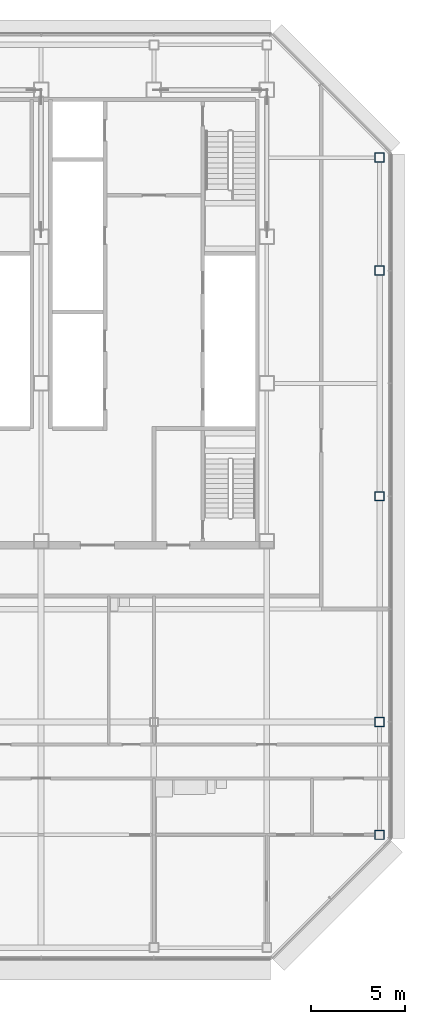
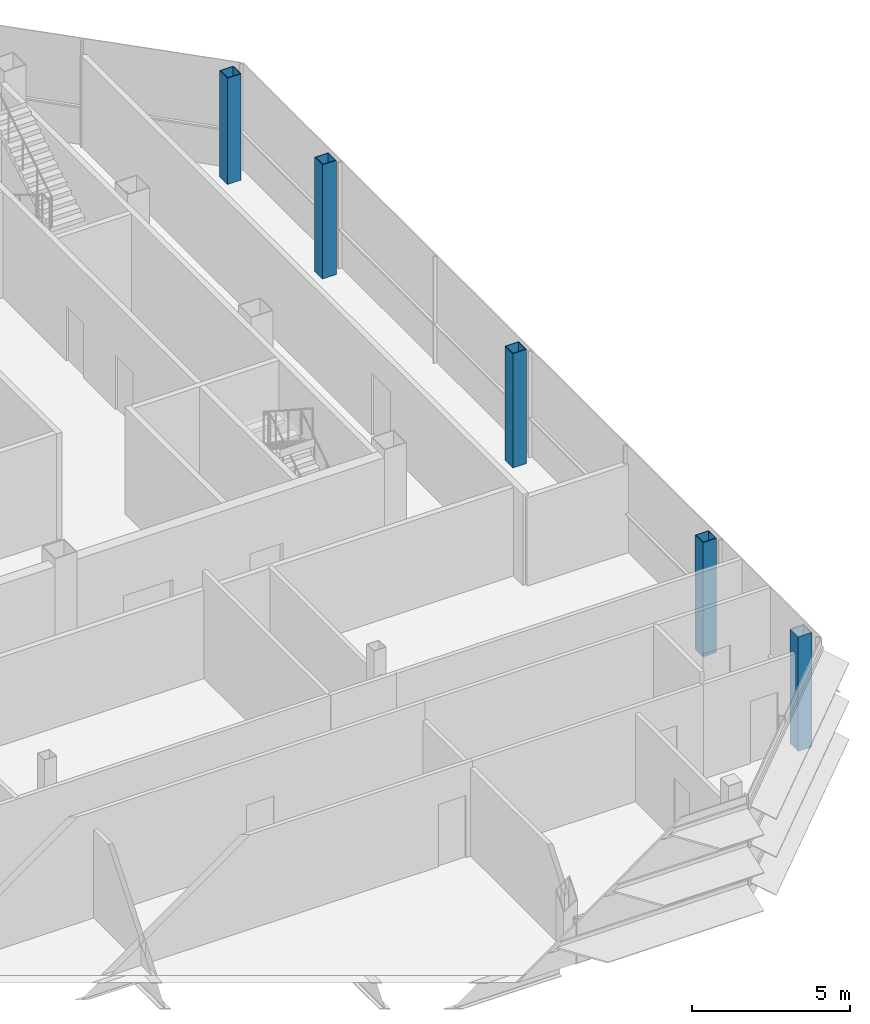
# One storey, part 3 of 29: 5 columns.
"""IFC4 building model written with IfcOpenShell, lengths in metres."""

from ifc_helpers import new_model, si_unit, direction, frame, origin, origin_2d, place, context, subcontext, project, spatial, hollow_rectangle, extrude, material, material_profile, profile_set, type_object, element, save


model = new_model("IFC4")

# Units and contexts
model_context = context("Model", 3, precision=1e-05, world=origin(), true_north=direction((0.0, 1.0)))
body_context = subcontext(model_context, "Body", "Model", "MODEL_VIEW")
ifc_project = project(units=[si_unit("LENGTHUNIT", "METRE"), si_unit("AREAUNIT", "SQUARE_METRE"), si_unit("VOLUMEUNIT", "CUBIC_METRE"), si_unit("PLANEANGLEUNIT", "RADIAN"), si_unit("MASSUNIT", "GRAM", prefix="KILO")], contexts=[model_context])

# Site, building, storey
site_placement = place(None, origin())
site = spatial("IfcSite", under=ifc_project, at=site_placement, CompositionType="ELEMENT")
building_placement = place(site_placement, origin())
building = spatial("IfcBuilding", under=site, at=building_placement, Name="Sorahane Residences", CompositionType="ELEMENT")
storey_placement = place(building_placement, frame((0.0, 0.0, 326.800048828125)))
storey = spatial("IfcBuildingStorey", under=building, at=storey_placement, Name="L78", CompositionType="ELEMENT", Elevation=326.800048828125)

# Columns
ifc_material = material(Name="Steel Q355B", Category="steel")
ifc_material_profile = material_profile(ifc_material, hollow_rectangle(XDim=0.5, YDim=0.5, WallThickness=0.02490234375, at=origin_2d()), Name="BOX 500x500x25")
ifc_profile_set = profile_set([ifc_material_profile], Name="Steel Q355B")
column_type = type_object("IfcColumnType", Name="Steel box column BOX 500x500x25 Q355B", PredefinedType="COLUMN", material=ifc_profile_set)
for number, where, z_axis, x_axis, name in (
    (1, (48.0, 6.0, 0.0), (0.0, 0.0, 1.0), (1.0, 0.0, 0.0), "Column L78 48/6"),
    (2, (48.0, 12.0, 0.0), (0.0, 0.0, 1.0), (1.0, 0.0, 0.0), "Column L78 48/12"),
    (3, (48.0, 24.0, 0.0), (0.0, 0.0, 1.0), (1.0, 0.0, 0.0), "Column L78 48/24"),
    (4, (48.0, 36.0, 0.0), (0.0, 0.0, 1.0), (1.0, 0.0, 0.0), "Column L78 48/36"),
):
    element("IfcColumn", number, at=place(storey_placement, frame(where, z_axis=z_axis, x_axis=x_axis)), inside=storey, type_object=column_type, Name=name, PredefinedType="COLUMN", context=body_context, shape_type="SweptSolid", body=[
        extrude(hollow_rectangle(XDim=0.5, YDim=0.5, WallThickness=0.02490234375, at=origin_2d()), origin(), (0.0, 0.0, 1.0), 4.39990234375),
    ])
column_placement = place(storey_placement, frame((48.0, 42.0, 0.0), z_axis=(0.0, 0.0, 1.0), x_axis=(1.0, 0.0, 0.0)))
element("IfcColumn", 5, at=column_placement, inside=storey, type_object=column_type, Name="Column L78 48/42", PredefinedType="COLUMN", context=body_context, shape_type="SweptSolid", body=[
    extrude(hollow_rectangle(XDim=0.5, YDim=0.5, WallThickness=0.02490234375, at=origin_2d()), origin(), (0.0, 0.0, 1.0), 4.099853515625),
])

save(model, "model.ifc")
